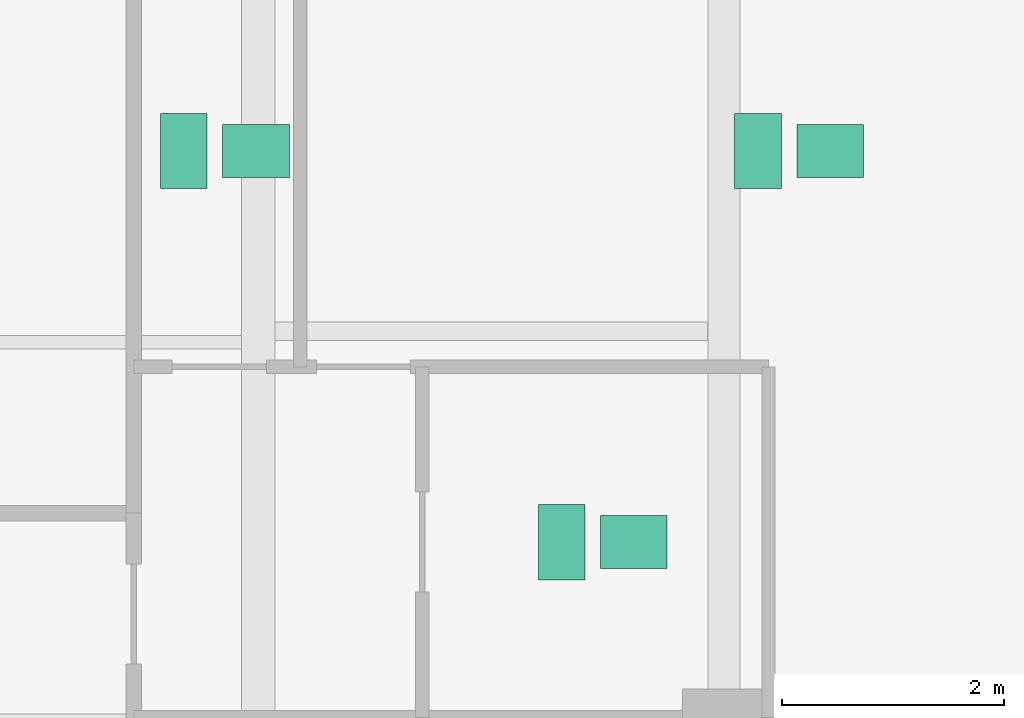
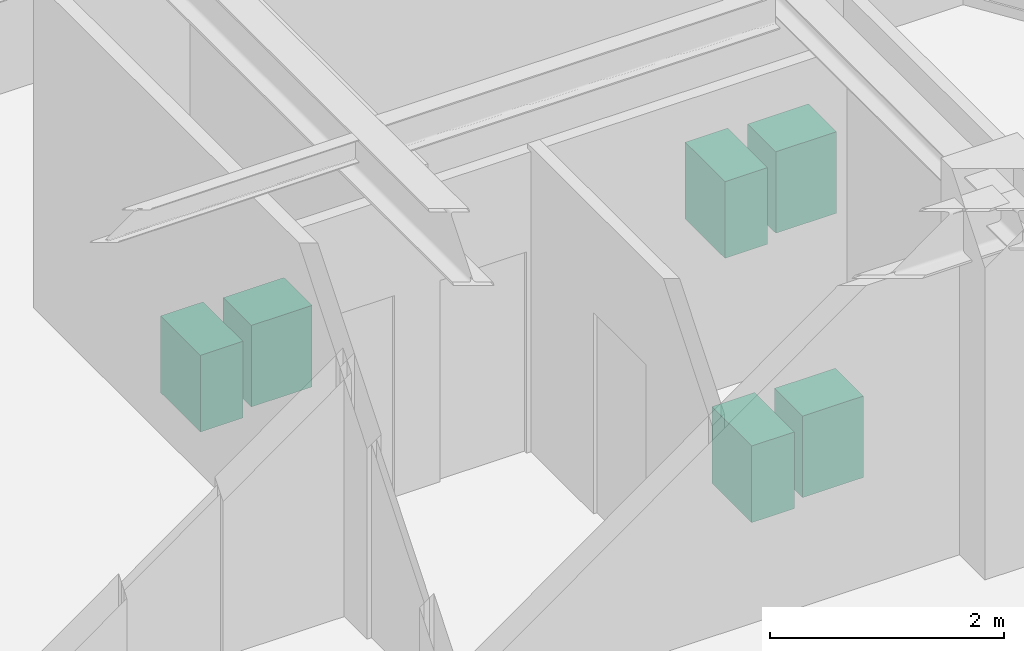
# One storey, part 21 of 21: 6 sanitary terminals.
"""IFC4 building model written with IfcOpenShell, lengths in metres."""

from ifc_helpers import new_model, si_unit, direction, frame, origin, origin_2d, place, context, subcontext, project, spatial, rectangle, extrude, source, transform, mapped, material, type_object, type_shapes, element, save


model = new_model("IFC4")

# Units and contexts
model_context = context("Model", 3, precision=1e-05, world=origin(), true_north=direction((0.0, 1.0)))
body_context = subcontext(model_context, "Body", "Model", "MODEL_VIEW")
ifc_project = project(units=[si_unit("LENGTHUNIT", "METRE"), si_unit("AREAUNIT", "SQUARE_METRE"), si_unit("VOLUMEUNIT", "CUBIC_METRE"), si_unit("PLANEANGLEUNIT", "RADIAN"), si_unit("MASSUNIT", "GRAM", prefix="KILO")], contexts=[model_context])

# Site, building, storey
site_placement = place(None, origin())
site = spatial("IfcSite", under=ifc_project, at=site_placement, CompositionType="ELEMENT")
building_placement = place(site_placement, origin())
building = spatial("IfcBuilding", under=site, at=building_placement, Name="Krantzveldt Concourse Tower", CompositionType="ELEMENT")
storey_placement = place(building_placement, frame((0.0, 0.0, 275.300048828125)))
storey = spatial("IfcBuildingStorey", under=building, at=storey_placement, Name="L67", CompositionType="ELEMENT", Elevation=275.300048828125)

# Sanitary terminals
ifc_material = material(Name="Vitreous china", Category="ceramic")
sanitary_terminal_type_1 = type_object("IfcSanitaryTerminalType", Name="SAN-WC-SUITE", PredefinedType="TOILETPAN", material=ifc_material)
shared_shape_1 = source(origin(), body_context, "Body", "SweptSolid", [
    extrude(rectangle(XDim=0.419921875, YDim=0.679931640625, at=origin_2d()), origin(), (0.0, 0.0, 1.0), 0.800048828125),
])
type_shapes(sanitary_terminal_type_1, [shared_shape_1])
for number, where, z_axis, x_axis, name in (
    (1, (51.305908203125, 31.925048828125, 0.0), (0.0, 0.0, 1.0), (1.0, 0.0, 0.0), "WC-SP-L67-WCM"),
    (2, (46.1298828125, 31.925048828125, 0.0), (0.0, 0.0, 1.0), (1.0, 0.0, 0.0), "WC-SP-L67-WCF"),
    (3, (49.534912109375, 28.39990234375, 0.0), (0.0, 0.0, 1.0), (1.0, 0.0, 0.0), "WC-SP-L67-WCA"),
):
    element("IfcSanitaryTerminal", number, at=place(storey_placement, frame(where, z_axis=z_axis, x_axis=x_axis)), inside=storey, type_object=sanitary_terminal_type_1, Name=name, PredefinedType="TOILETPAN", context=body_context, shape_type="MappedRepresentation", body=[
        mapped(shared_shape_1, transform((0.0, 0.0, 0.0), x_axis=(1.0, 0.0, 0.0), y_axis=(0.0, 1.0, 0.0), z_axis=(0.0, 0.0, 1.0), scale=1.0)),
    ])
sanitary_terminal_type_2 = type_object("IfcSanitaryTerminalType", Name="SAN-BASIN-600", PredefinedType="WASHHANDBASIN", material=ifc_material)
shared_shape_2 = source(origin(), body_context, "Body", "SweptSolid", [
    extrude(rectangle(XDim=0.60009765625, YDim=0.47998046875, at=origin_2d()), origin(), (0.0, 0.0, 1.0), 0.85009765625),
])
type_shapes(sanitary_terminal_type_2, [shared_shape_2])
for number, where, z_axis, x_axis, name in (
    (4, (51.9560546875, 31.925048828125, 0.0048828125), (0.0, 0.0, 1.0), (1.0, 0.0, 0.0), "BSN-SP-L67-WCM"),
    (5, (46.780029296875, 31.925048828125, 0.0048828125), (0.0, 0.0, 1.0), (1.0, 0.0, 0.0), "BSN-SP-L67-WCF"),
    (6, (50.18505859375, 28.39990234375, 0.0048828125), (0.0, 0.0, 1.0), (1.0, 0.0, 0.0), "BSN-SP-L67-WCA"),
):
    element("IfcSanitaryTerminal", number, at=place(storey_placement, frame(where, z_axis=z_axis, x_axis=x_axis)), inside=storey, type_object=sanitary_terminal_type_2, Name=name, PredefinedType="WASHHANDBASIN", context=body_context, shape_type="MappedRepresentation", body=[
        mapped(shared_shape_2, transform((0.0, 0.0, 0.0), x_axis=(1.0, 0.0, 0.0), y_axis=(0.0, 1.0, 0.0), z_axis=(0.0, 0.0, 1.0), scale=1.0)),
    ])

save(model, "model.ifc")
